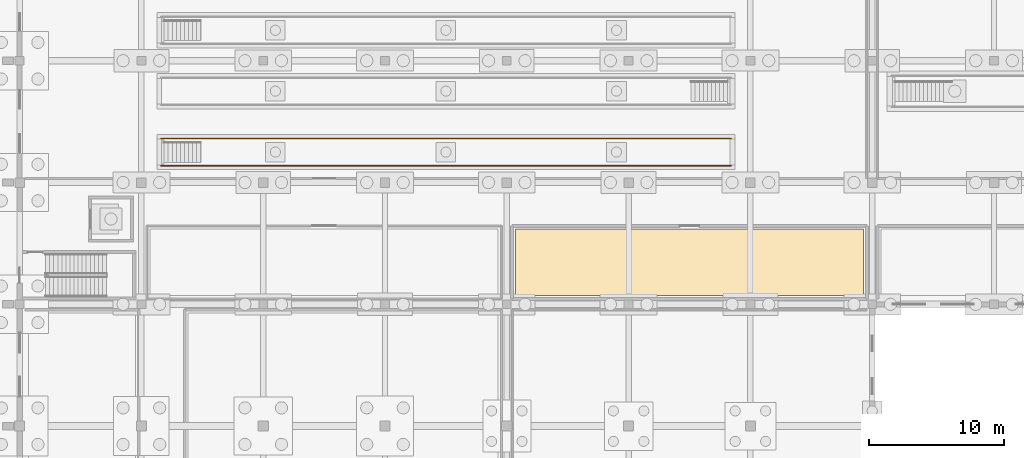
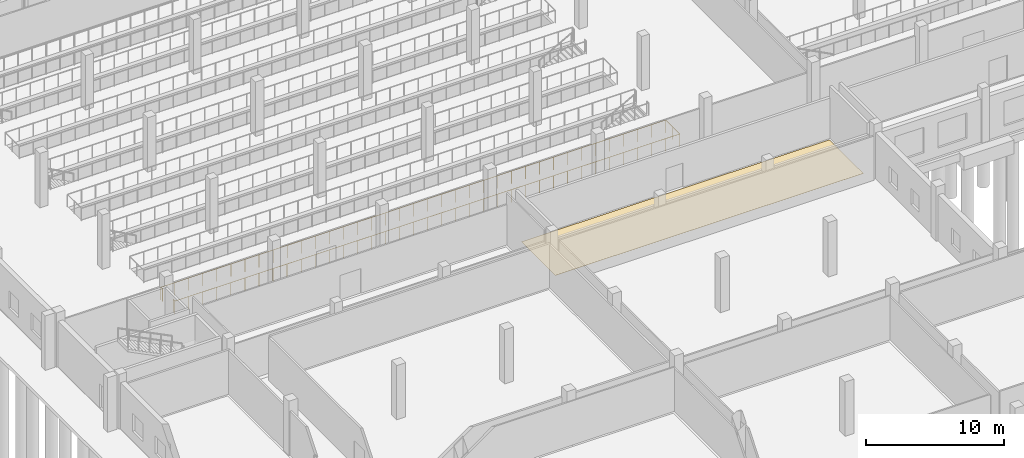
# One storey, part 94 of 112: 1 covering, 1 railing.
"""IFC4 building model written with IfcOpenShell, lengths in metres."""

from ifc_helpers import new_model, si_unit, direction, frame, origin, origin_2d, place, context, subcontext, project, spatial, polyline, circle, outline, extrude, material, layer, layer_set, type_object, element, save


model = new_model("IFC4")

# Units and contexts
model_context = context("Model", 3, precision=1e-05, world=origin(), true_north=direction((0.0, 1.0)))
body_context = subcontext(model_context, "Body", "Model", "MODEL_VIEW")
ifc_project = project(units=[si_unit("LENGTHUNIT", "METRE"), si_unit("AREAUNIT", "SQUARE_METRE"), si_unit("VOLUMEUNIT", "CUBIC_METRE"), si_unit("PLANEANGLEUNIT", "RADIAN"), si_unit("MASSUNIT", "GRAM", prefix="KILO")], contexts=[model_context])

# Site, building, storey
site_placement = place(None, origin())
site = spatial("IfcSite", under=ifc_project, at=site_placement, CompositionType="ELEMENT")
building_placement = place(site_placement, origin())
building = spatial("IfcBuilding", under=site, at=building_placement, Name="Tharagai Park Tramway Depot", CompositionType="ELEMENT")
storey_placement = place(building_placement, origin())
storey = spatial("IfcBuildingStorey", under=building, at=storey_placement, Name="L00", CompositionType="ELEMENT", Elevation=0.0)

# Covering
ifc_material_1 = material(Name="Epoxy industrial flooring", Category="plastic")
ifc_layer = layer(ifc_material_1, 0.014892578125)
ifc_layer_set = layer_set([ifc_layer], Name="Epoxy industrial flooring")
covering_type = type_object("IfcCoveringType", Name="FN-03", PredefinedType="FLOORING", material=ifc_layer_set)
covering_placement = place(storey_placement, origin())
element("IfcCovering", 1, at=covering_placement, inside=storey, type_object=covering_type, Name="Lubricants and Hydraulic Fluid Store Floor Finish", PredefinedType="FLOORING", context=body_context, shape_type="SweptSolid", body=[
    extrude(outline(polyline([(36.64990234375, 45.64990234375), (62.35009765625, 45.64990234375), (62.35009765625, 50.550048828125), (36.64990234375, 50.550048828125), (36.64990234375, 45.64990234375)])), origin(), (0.0, 0.0, 1.0), 0.014892578125),
])

# Railing
ifc_material_2 = material(Name="Galvanised steel", Category="steel")
railing_type = type_object("IfcRailingType", Name="HR-01", PredefinedType="GUARDRAIL", material=ifc_material_2)
railing_placement = place(storey_placement, frame((10.43994140625, 55.47998046875, 0.0)))
element("IfcRailing", 2, at=railing_placement, inside=storey, type_object=railing_type, Name="Inspection Pit Track 1 Mouth Safety Guard 1", PredefinedType="GUARDRAIL", context=body_context, shape_type="SweptSolid", body=[
    extrude(circle(Radius=0.02392578125, at=origin_2d()), frame((0.0, 0.0, 1.10595703125), z_axis=(0.0, -1.0, 0.0), x_axis=(1.0, 0.0, 0.0)), (0.0, 0.0, 1.0), 0.239990234375),
    extrude(circle(Radius=0.02392578125, at=origin_2d()), frame((0.0, -0.239990234375, 1.10595703125), z_axis=(1.0, 0.0, 0.0), x_axis=(0.0, 1.0, 0.0)), (0.0, 0.0, 1.0), 42.1201171875),
    extrude(circle(Radius=0.02392578125, at=origin_2d()), frame((42.1201171875, -0.239990234375, 1.10595703125), z_axis=(0.0, 1.0, 0.0), x_axis=(-1.0, 0.0, 0.0)), (0.0, 0.0, 1.0), 2.02001953125),
    extrude(circle(Radius=0.02392578125, at=origin_2d()), frame((42.1201171875, 1.780029296875, 1.10595703125), z_axis=(-1.0, 0.0, 0.0), x_axis=(0.0, -1.0, 0.0)), (0.0, 0.0, 1.0), 42.1201171875),
    extrude(circle(Radius=0.02392578125, at=origin_2d()), frame((0.0, 1.780029296875, 1.10595703125), z_axis=(0.0, -1.0, 0.0), x_axis=(1.0, 0.0, 0.0)), (0.0, 0.0, 1.0), 0.239990234375),
    extrude(circle(Radius=0.02099609375, at=origin_2d()), origin(), (0.0, 0.0, 1.0), 1.081787109375),
    extrude(circle(Radius=0.02099609375, at=origin_2d()), frame((0.0, -0.239990234375, 0.0)), (0.0, 0.0, 1.0), 1.081787109375),
    extrude(circle(Radius=0.02099609375, at=origin_2d()), frame((1.169921875, -0.239990234375, 0.0)), (0.0, 0.0, 1.0), 1.081787109375),
    extrude(circle(Radius=0.02099609375, at=origin_2d()), frame((2.340087890625, -0.239990234375, 0.0)), (0.0, 0.0, 1.0), 1.081787109375),
    extrude(circle(Radius=0.02099609375, at=origin_2d()), frame((3.510009765625, -0.239990234375, 0.0)), (0.0, 0.0, 1.0), 1.081787109375),
    extrude(circle(Radius=0.02099609375, at=origin_2d()), frame((4.679931640625, -0.239990234375, 0.0)), (0.0, 0.0, 1.0), 1.081787109375),
    extrude(circle(Radius=0.02099609375, at=origin_2d()), frame((5.85009765625, -0.239990234375, 0.0)), (0.0, 0.0, 1.0), 1.081787109375),
    extrude(circle(Radius=0.02099609375, at=origin_2d()), frame((7.02001953125, -0.239990234375, 0.0)), (0.0, 0.0, 1.0), 1.081787109375),
    extrude(circle(Radius=0.02099609375, at=origin_2d()), frame((8.18994140625, -0.239990234375, 0.0)), (0.0, 0.0, 1.0), 1.081787109375),
    extrude(circle(Radius=0.02099609375, at=origin_2d()), frame((9.360107421875, -0.239990234375, 0.0)), (0.0, 0.0, 1.0), 1.081787109375),
    extrude(circle(Radius=0.02099609375, at=origin_2d()), frame((10.530029296875, -0.239990234375, 0.0)), (0.0, 0.0, 1.0), 1.081787109375),
    extrude(circle(Radius=0.02099609375, at=origin_2d()), frame((11.699951171875, -0.239990234375, 0.0)), (0.0, 0.0, 1.0), 1.081787109375),
    extrude(circle(Radius=0.02099609375, at=origin_2d()), frame((12.8701171875, -0.239990234375, 0.0)), (0.0, 0.0, 1.0), 1.081787109375),
    extrude(circle(Radius=0.02099609375, at=origin_2d()), frame((14.0400390625, -0.239990234375, 0.0)), (0.0, 0.0, 1.0), 1.081787109375),
    extrude(circle(Radius=0.02099609375, at=origin_2d()), frame((15.2099609375, -0.239990234375, 0.0)), (0.0, 0.0, 1.0), 1.081787109375),
    extrude(circle(Radius=0.02099609375, at=origin_2d()), frame((16.380126953125, -0.239990234375, 0.0)), (0.0, 0.0, 1.0), 1.081787109375),
    extrude(circle(Radius=0.02099609375, at=origin_2d()), frame((17.550048828125, -0.239990234375, 0.0)), (0.0, 0.0, 1.0), 1.081787109375),
    extrude(circle(Radius=0.02099609375, at=origin_2d()), frame((18.719970703125, -0.239990234375, 0.0)), (0.0, 0.0, 1.0), 1.081787109375),
    extrude(circle(Radius=0.02099609375, at=origin_2d()), frame((19.89013671875, -0.239990234375, 0.0)), (0.0, 0.0, 1.0), 1.081787109375),
    extrude(circle(Radius=0.02099609375, at=origin_2d()), frame((21.06005859375, -0.239990234375, 0.0)), (0.0, 0.0, 1.0), 1.081787109375),
    extrude(circle(Radius=0.02099609375, at=origin_2d()), frame((22.22998046875, -0.239990234375, 0.0)), (0.0, 0.0, 1.0), 1.081787109375),
    extrude(circle(Radius=0.02099609375, at=origin_2d()), frame((23.400146484375, -0.239990234375, 0.0)), (0.0, 0.0, 1.0), 1.081787109375),
    extrude(circle(Radius=0.02099609375, at=origin_2d()), frame((24.570068359375, -0.239990234375, 0.0)), (0.0, 0.0, 1.0), 1.081787109375),
    extrude(circle(Radius=0.02099609375, at=origin_2d()), frame((25.739990234375, -0.239990234375, 0.0)), (0.0, 0.0, 1.0), 1.081787109375),
    extrude(circle(Radius=0.02099609375, at=origin_2d()), frame((26.91015625, -0.239990234375, 0.0)), (0.0, 0.0, 1.0), 1.081787109375),
    extrude(circle(Radius=0.02099609375, at=origin_2d()), frame((28.080078125, -0.239990234375, 0.0)), (0.0, 0.0, 1.0), 1.081787109375),
    extrude(circle(Radius=0.02099609375, at=origin_2d()), frame((29.25, -0.239990234375, 0.0)), (0.0, 0.0, 1.0), 1.081787109375),
    extrude(circle(Radius=0.02099609375, at=origin_2d()), frame((30.420166015625, -0.239990234375, 0.0)), (0.0, 0.0, 1.0), 1.081787109375),
    extrude(circle(Radius=0.02099609375, at=origin_2d()), frame((31.590087890625, -0.239990234375, 0.0)), (0.0, 0.0, 1.0), 1.081787109375),
    extrude(circle(Radius=0.02099609375, at=origin_2d()), frame((32.760009765625, -0.239990234375, 0.0)), (0.0, 0.0, 1.0), 1.081787109375),
    extrude(circle(Radius=0.02099609375, at=origin_2d()), frame((33.93017578125, -0.239990234375, 0.0)), (0.0, 0.0, 1.0), 1.081787109375),
    extrude(circle(Radius=0.02099609375, at=origin_2d()), frame((35.10009765625, -0.239990234375, 0.0)), (0.0, 0.0, 1.0), 1.081787109375),
    extrude(circle(Radius=0.02099609375, at=origin_2d()), frame((36.27001953125, -0.239990234375, 0.0)), (0.0, 0.0, 1.0), 1.081787109375),
    extrude(circle(Radius=0.02099609375, at=origin_2d()), frame((37.440185546875, -0.239990234375, 0.0)), (0.0, 0.0, 1.0), 1.081787109375),
    extrude(circle(Radius=0.02099609375, at=origin_2d()), frame((38.610107421875, -0.239990234375, 0.0)), (0.0, 0.0, 1.0), 1.081787109375),
    extrude(circle(Radius=0.02099609375, at=origin_2d()), frame((39.780029296875, -0.239990234375, 0.0)), (0.0, 0.0, 1.0), 1.081787109375),
    extrude(circle(Radius=0.02099609375, at=origin_2d()), frame((40.9501953125, -0.239990234375, 0.0)), (0.0, 0.0, 1.0), 1.081787109375),
    extrude(circle(Radius=0.02099609375, at=origin_2d()), frame((42.1201171875, -0.239990234375, 0.0)), (0.0, 0.0, 1.0), 1.081787109375),
    extrude(circle(Radius=0.02099609375, at=origin_2d()), frame((42.1201171875, 0.77001953125, 0.0)), (0.0, 0.0, 1.0), 1.081787109375),
    extrude(circle(Radius=0.02099609375, at=origin_2d()), frame((42.1201171875, 1.780029296875, 0.0)), (0.0, 0.0, 1.0), 1.081787109375),
    extrude(circle(Radius=0.02099609375, at=origin_2d()), frame((40.9501953125, 1.780029296875, 0.0)), (0.0, 0.0, 1.0), 1.081787109375),
    extrude(circle(Radius=0.02099609375, at=origin_2d()), frame((39.780029296875, 1.780029296875, 0.0)), (0.0, 0.0, 1.0), 1.081787109375),
    extrude(circle(Radius=0.02099609375, at=origin_2d()), frame((38.610107421875, 1.780029296875, 0.0)), (0.0, 0.0, 1.0), 1.081787109375),
    extrude(circle(Radius=0.02099609375, at=origin_2d()), frame((37.440185546875, 1.780029296875, 0.0)), (0.0, 0.0, 1.0), 1.081787109375),
    extrude(circle(Radius=0.02099609375, at=origin_2d()), frame((36.27001953125, 1.780029296875, 0.0)), (0.0, 0.0, 1.0), 1.081787109375),
    extrude(circle(Radius=0.02099609375, at=origin_2d()), frame((35.10009765625, 1.780029296875, 0.0)), (0.0, 0.0, 1.0), 1.081787109375),
    extrude(circle(Radius=0.02099609375, at=origin_2d()), frame((33.93017578125, 1.780029296875, 0.0)), (0.0, 0.0, 1.0), 1.081787109375),
    extrude(circle(Radius=0.02099609375, at=origin_2d()), frame((32.760009765625, 1.780029296875, 0.0)), (0.0, 0.0, 1.0), 1.081787109375),
    extrude(circle(Radius=0.02099609375, at=origin_2d()), frame((31.590087890625, 1.780029296875, 0.0)), (0.0, 0.0, 1.0), 1.081787109375),
    extrude(circle(Radius=0.02099609375, at=origin_2d()), frame((30.420166015625, 1.780029296875, 0.0)), (0.0, 0.0, 1.0), 1.081787109375),
    extrude(circle(Radius=0.02099609375, at=origin_2d()), frame((29.25, 1.780029296875, 0.0)), (0.0, 0.0, 1.0), 1.081787109375),
    extrude(circle(Radius=0.02099609375, at=origin_2d()), frame((28.080078125, 1.780029296875, 0.0)), (0.0, 0.0, 1.0), 1.081787109375),
    extrude(circle(Radius=0.02099609375, at=origin_2d()), frame((26.91015625, 1.780029296875, 0.0)), (0.0, 0.0, 1.0), 1.081787109375),
    extrude(circle(Radius=0.02099609375, at=origin_2d()), frame((25.739990234375, 1.780029296875, 0.0)), (0.0, 0.0, 1.0), 1.081787109375),
    extrude(circle(Radius=0.02099609375, at=origin_2d()), frame((24.570068359375, 1.780029296875, 0.0)), (0.0, 0.0, 1.0), 1.081787109375),
    extrude(circle(Radius=0.02099609375, at=origin_2d()), frame((23.400146484375, 1.780029296875, 0.0)), (0.0, 0.0, 1.0), 1.081787109375),
    extrude(circle(Radius=0.02099609375, at=origin_2d()), frame((22.22998046875, 1.780029296875, 0.0)), (0.0, 0.0, 1.0), 1.081787109375),
    extrude(circle(Radius=0.02099609375, at=origin_2d()), frame((21.06005859375, 1.780029296875, 0.0)), (0.0, 0.0, 1.0), 1.081787109375),
    extrude(circle(Radius=0.02099609375, at=origin_2d()), frame((19.89013671875, 1.780029296875, 0.0)), (0.0, 0.0, 1.0), 1.081787109375),
    extrude(circle(Radius=0.02099609375, at=origin_2d()), frame((18.719970703125, 1.780029296875, 0.0)), (0.0, 0.0, 1.0), 1.081787109375),
    extrude(circle(Radius=0.02099609375, at=origin_2d()), frame((17.550048828125, 1.780029296875, 0.0)), (0.0, 0.0, 1.0), 1.081787109375),
    extrude(circle(Radius=0.02099609375, at=origin_2d()), frame((16.380126953125, 1.780029296875, 0.0)), (0.0, 0.0, 1.0), 1.081787109375),
    extrude(circle(Radius=0.02099609375, at=origin_2d()), frame((15.2099609375, 1.780029296875, 0.0)), (0.0, 0.0, 1.0), 1.081787109375),
    extrude(circle(Radius=0.02099609375, at=origin_2d()), frame((14.0400390625, 1.780029296875, 0.0)), (0.0, 0.0, 1.0), 1.081787109375),
    extrude(circle(Radius=0.02099609375, at=origin_2d()), frame((12.8701171875, 1.780029296875, 0.0)), (0.0, 0.0, 1.0), 1.081787109375),
    extrude(circle(Radius=0.02099609375, at=origin_2d()), frame((11.699951171875, 1.780029296875, 0.0)), (0.0, 0.0, 1.0), 1.081787109375),
    extrude(circle(Radius=0.02099609375, at=origin_2d()), frame((10.530029296875, 1.780029296875, 0.0)), (0.0, 0.0, 1.0), 1.081787109375),
    extrude(circle(Radius=0.02099609375, at=origin_2d()), frame((9.360107421875, 1.780029296875, 0.0)), (0.0, 0.0, 1.0), 1.081787109375),
    extrude(circle(Radius=0.02099609375, at=origin_2d()), frame((8.18994140625, 1.780029296875, 0.0)), (0.0, 0.0, 1.0), 1.081787109375),
    extrude(circle(Radius=0.02099609375, at=origin_2d()), frame((7.02001953125, 1.780029296875, 0.0)), (0.0, 0.0, 1.0), 1.081787109375),
    extrude(circle(Radius=0.02099609375, at=origin_2d()), frame((5.85009765625, 1.780029296875, 0.0)), (0.0, 0.0, 1.0), 1.081787109375),
    extrude(circle(Radius=0.02099609375, at=origin_2d()), frame((4.679931640625, 1.780029296875, 0.0)), (0.0, 0.0, 1.0), 1.081787109375),
    extrude(circle(Radius=0.02099609375, at=origin_2d()), frame((3.510009765625, 1.780029296875, 0.0)), (0.0, 0.0, 1.0), 1.081787109375),
    extrude(circle(Radius=0.02099609375, at=origin_2d()), frame((2.340087890625, 1.780029296875, 0.0)), (0.0, 0.0, 1.0), 1.081787109375),
    extrude(circle(Radius=0.02099609375, at=origin_2d()), frame((1.169921875, 1.780029296875, 0.0)), (0.0, 0.0, 1.0), 1.081787109375),
    extrude(circle(Radius=0.02099609375, at=origin_2d()), frame((0.0, 1.780029296875, 0.0)), (0.0, 0.0, 1.0), 1.081787109375),
    extrude(circle(Radius=0.02099609375, at=origin_2d()), frame((0.0, 1.5400390625, 0.0)), (0.0, 0.0, 1.0), 1.081787109375),
])

save(model, "model.ifc")
